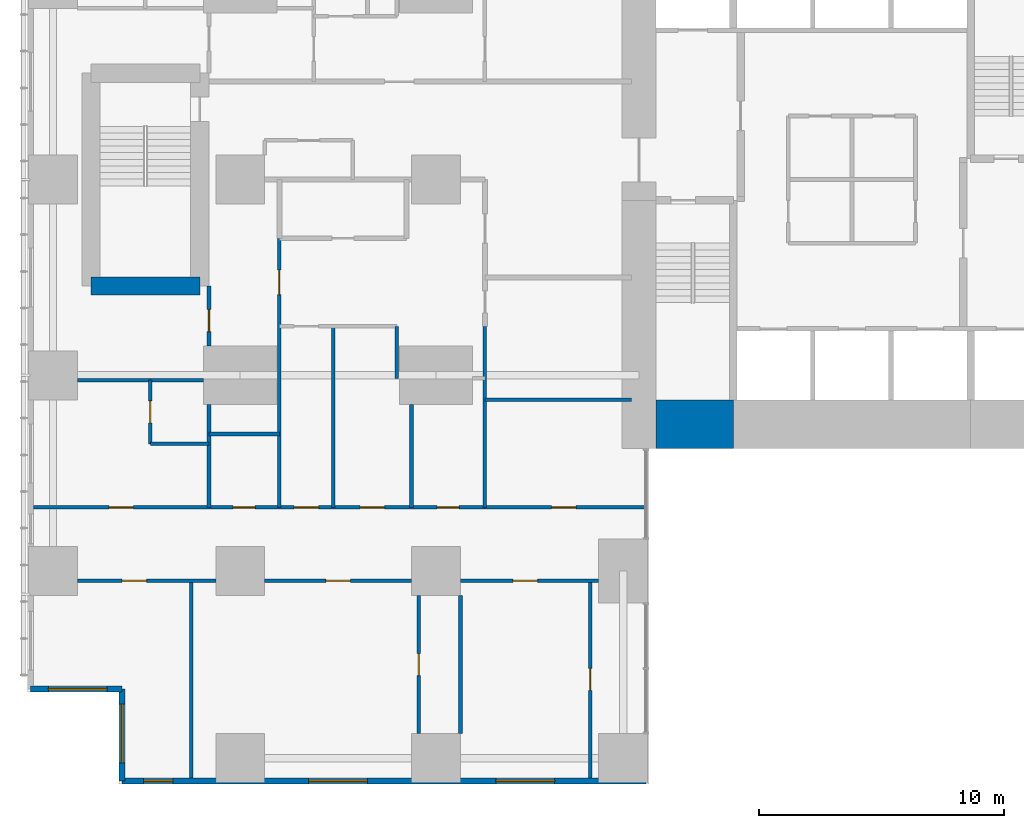
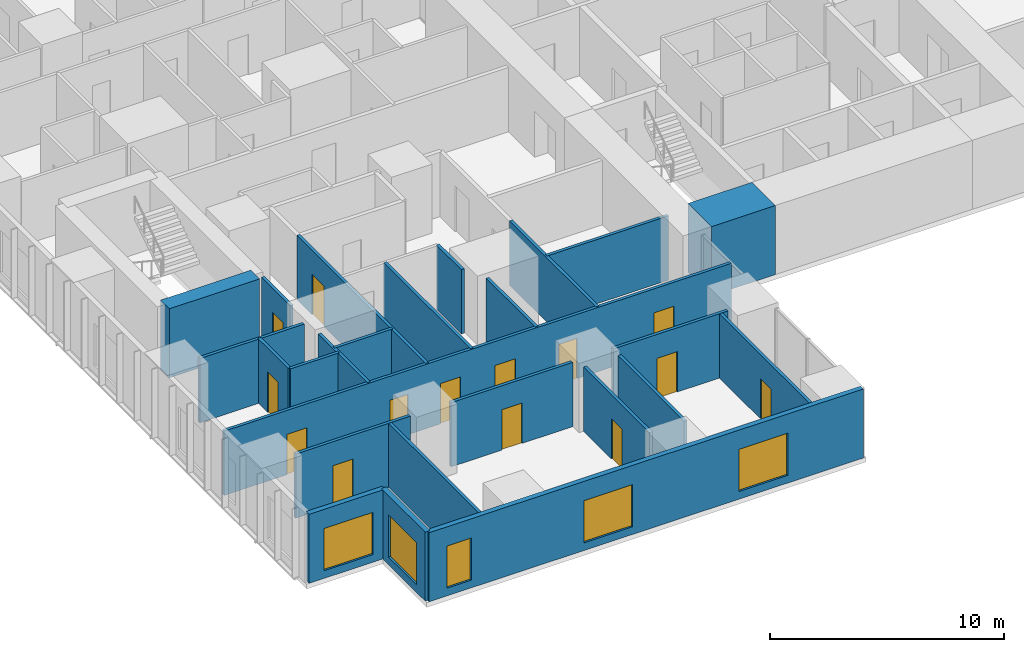
# One storey, part 12 of 20: 25 walls, 14 doors, 5 windows, 19 openings.
"""IFC4 building model written with IfcOpenShell, lengths in metres."""

from ifc_helpers import new_model, si_unit, direction, frame, frame_2d, origin, place, context, subcontext, project, spatial, rectangle, extrude, material, layer, layer_set, type_object, element, fill, save


model = new_model("IFC4")

# Units and contexts
model_context = context("Model", 3, precision=1e-05, world=origin(), true_north=direction((0.0, 1.0)))
body_context = subcontext(model_context, "Body", "Model", "MODEL_VIEW")
ifc_project = project(units=[si_unit("LENGTHUNIT", "METRE"), si_unit("AREAUNIT", "SQUARE_METRE"), si_unit("VOLUMEUNIT", "CUBIC_METRE"), si_unit("PLANEANGLEUNIT", "RADIAN"), si_unit("MASSUNIT", "GRAM", prefix="KILO")], contexts=[model_context])

# Site, building, storey
site_placement = place(None, origin())
site = spatial("IfcSite", under=ifc_project, at=site_placement, CompositionType="ELEMENT")
building_placement = place(site_placement, origin())
building = spatial("IfcBuilding", under=site, at=building_placement, Name="Cleftline Residences", CompositionType="ELEMENT")
storey_placement = place(building_placement, frame((0.0, 0.0, 110.60009765625)))
storey = spatial("IfcBuildingStorey", under=building, at=storey_placement, Name="L28", CompositionType="ELEMENT", Elevation=110.60009765625)

# Wall
ifc_material_1 = material(Name="Concrete B70", Category="concrete")
ifc_layer_1 = layer(ifc_material_1, 2.0)
ifc_layer_set_1 = layer_set([ifc_layer_1], Name="CORE WALL 2000")
wall_type_1 = type_object("IfcWallType", Name="CORE WALL 2000", PredefinedType="SHEAR", material=ifc_layer_set_1)
wall_1_placement = place(storey_placement, frame((25.0, 14.0, 0.0), z_axis=(0.0, 0.0, 1.0), x_axis=(1.0, 0.0, 0.0)))
element("IfcWall", 1, at=wall_1_placement, inside=storey, type_object=wall_type_1, Name="Core wall S1", PredefinedType="SHEAR", context=body_context, shape_type="SweptSolid", body=[
    extrude(rectangle(XDim=3.14990234375, YDim=2.0, at=frame_2d((1.574951171875, 0.0))), origin(), (0.0, 0.0, 1.0), 3.599853515625),
])

# Wall, opening, window
ifc_material_2 = material(Name="Rendered reinforced concrete blockwork", Category="masonry")
ifc_layer_2 = layer(ifc_material_2, 0.25)
ifc_layer_set_2 = layer_set([ifc_layer_2], Name="EXTERNAL WALL 250")
wall_type_2 = type_object("IfcWallType", Name="EXTERNAL WALL 250", PredefinedType="SOLIDWALL", material=ifc_layer_set_2)
wall_2_placement = place(storey_placement, frame((-0.574951171875, 3.175048828125, 0.0), z_axis=(0.0, 0.0, 1.0), x_axis=(1.0, 0.0, 0.0)))
wall_2 = element("IfcWall", 2, at=wall_2_placement, inside=storey, type_object=wall_type_2, Name="External wall", PredefinedType="SOLIDWALL", context=body_context, shape_type="SweptSolid", body=[
    extrude(rectangle(XDim=3.75, YDim=0.25, at=frame_2d((1.875, 0.0))), origin(), (0.0, 0.0, 1.0), 3.599853515625),
])
opening_1_placement = place(wall_2_placement, frame((0.737548828125, 0.0, 0.39990234375)))
opening_1 = element("IfcOpeningElement", 3, at=opening_1_placement, cuts=wall_2, Name="Opening W12", PredefinedType="OPENING", context=body_context, shape_type="SweptSolid", body=[
    extrude(rectangle(XDim=2.39990234375, YDim=2.199951171875, at=frame_2d((1.199951171875, 1.10009765625))), frame((0.0, 0.135009765625, 0.0), z_axis=(0.0, -1.0, 0.0), x_axis=(1.0, 0.0, 0.0)), (0.0, 0.0, 1.0), 0.27001953125),
])
ifc_material_3 = material(Name="Aluminium frame, clear double glazing", Category="aluminium")
window_type_1 = type_object("IfcWindowType", Name="WINDOW 2400X2200", PartitioningType="DOUBLE_PANEL_VERTICAL", PredefinedType="WINDOW", material=ifc_material_3)
window_1_placement = place(opening_1_placement, origin())
window_1 = element("IfcWindow", 4, at=window_1_placement, inside=storey, type_object=window_type_1, Name="Window", OverallHeight=2.199951171875, OverallWidth=2.39990234375, PartitioningType="SINGLE_PANEL", PredefinedType="WINDOW", context=body_context, shape_type="SweptSolid", body=[
    extrude(rectangle(XDim=2.39990234375, YDim=2.199951171875, at=frame_2d((1.199951171875, 1.10009765625))), frame((0.0, 0.030029296875, 0.0), z_axis=(0.0, -1.0, 0.0), x_axis=(1.0, 0.0, 0.0)), (0.0, 0.0, 1.0), 0.06005859375),
])
fill(opening_1, window_1)

wall_3_placement = place(storey_placement, frame((3.175048828125, 3.175048828125, 0.0), z_axis=(0.0, 0.0, 1.0), x_axis=(0.0, -1.0, 0.0)))
wall_3 = element("IfcWall", 5, at=wall_3_placement, inside=storey, type_object=wall_type_2, Name="External wall", PredefinedType="SOLIDWALL", context=body_context, shape_type="SweptSolid", body=[
    extrude(rectangle(XDim=3.75, YDim=0.25, at=frame_2d((1.875, 0.0))), origin(), (0.0, 0.0, 1.0), 3.599853515625),
])
opening_2_placement = place(wall_3_placement, frame((0.612548828125, 0.0, 0.39990234375)))
opening_2 = element("IfcOpeningElement", 6, at=opening_2_placement, cuts=wall_3, Name="Opening W12", PredefinedType="OPENING", context=body_context, shape_type="SweptSolid", body=[
    extrude(rectangle(XDim=2.39990234375, YDim=2.199951171875, at=frame_2d((1.199951171875, 1.10009765625))), frame((0.0, 0.135009765625, 0.0), z_axis=(0.0, -1.0, 0.0), x_axis=(1.0, 0.0, 0.0)), (0.0, 0.0, 1.0), 0.27001953125),
])
window_2_placement = place(opening_2_placement, origin())
window_2 = element("IfcWindow", 7, at=window_2_placement, inside=storey, type_object=window_type_1, Name="Window", OverallHeight=2.199951171875, OverallWidth=2.39990234375, PartitioningType="SINGLE_PANEL", PredefinedType="WINDOW", context=body_context, shape_type="SweptSolid", body=[
    extrude(rectangle(XDim=2.39990234375, YDim=2.199951171875, at=frame_2d((1.199951171875, 1.10009765625))), frame((0.0, 0.030029296875, 0.0), z_axis=(0.0, -1.0, 0.0), x_axis=(1.0, 0.0, 0.0)), (0.0, 0.0, 1.0), 0.06005859375),
])
fill(opening_2, window_2)

# Wall, openings, windows
wall_4_placement = place(storey_placement, frame((3.175048828125, -0.574951171875, 0.0), z_axis=(0.0, 0.0, 1.0), x_axis=(1.0, 0.0, 0.0)))
wall_4 = element("IfcWall", 8, at=wall_4_placement, inside=storey, type_object=wall_type_2, Name="External wall", PredefinedType="SOLIDWALL", context=body_context, shape_type="SweptSolid", body=[
    extrude(rectangle(XDim=21.39990234375, YDim=0.25, at=frame_2d((10.699951171875, 0.0))), origin(), (0.0, 0.0, 1.0), 3.599853515625),
])
opening_3_placement = place(wall_4_placement, frame((0.875, 0.0, 0.39990234375)))
opening_3 = element("IfcOpeningElement", 9, at=opening_3_placement, cuts=wall_4, Name="Opening W11", PredefinedType="OPENING", context=body_context, shape_type="SweptSolid", body=[
    extrude(rectangle(XDim=1.199951171875, YDim=2.199951171875, at=frame_2d((0.60009765625, 1.10009765625))), frame((0.0, 0.135009765625, 0.0), z_axis=(0.0, -1.0, 0.0), x_axis=(1.0, 0.0, 0.0)), (0.0, 0.0, 1.0), 0.27001953125),
])
opening_4_placement = place(wall_4_placement, frame((7.625, 0.0, 0.39990234375)))
opening_4 = element("IfcOpeningElement", 10, at=opening_4_placement, cuts=wall_4, Name="Opening W12", PredefinedType="OPENING", context=body_context, shape_type="SweptSolid", body=[
    extrude(rectangle(XDim=2.39990234375, YDim=2.199951171875, at=frame_2d((1.199951171875, 1.10009765625))), frame((0.0, 0.135009765625, 0.0), z_axis=(0.0, -1.0, 0.0), x_axis=(1.0, 0.0, 0.0)), (0.0, 0.0, 1.0), 0.27001953125),
])
opening_5_placement = place(wall_4_placement, frame((15.27490234375, 0.0, 0.39990234375)))
opening_5 = element("IfcOpeningElement", 11, at=opening_5_placement, cuts=wall_4, Name="Opening W12", PredefinedType="OPENING", context=body_context, shape_type="SweptSolid", body=[
    extrude(rectangle(XDim=2.39990234375, YDim=2.199951171875, at=frame_2d((1.199951171875, 1.10009765625))), frame((0.0, 0.135009765625, 0.0), z_axis=(0.0, -1.0, 0.0), x_axis=(1.0, 0.0, 0.0)), (0.0, 0.0, 1.0), 0.27001953125),
])
ifc_material_4 = material(Name="Aluminium frame, clear double glazing", Category="aluminium")
window_type_2 = type_object("IfcWindowType", Name="WINDOW 1200X2200", PartitioningType="DOUBLE_PANEL_VERTICAL", PredefinedType="WINDOW", material=ifc_material_4)
window_3_placement = place(opening_3_placement, origin())
window_3 = element("IfcWindow", 12, at=window_3_placement, inside=storey, type_object=window_type_2, Name="Window", OverallHeight=2.199951171875, OverallWidth=1.199951171875, PartitioningType="SINGLE_PANEL", PredefinedType="WINDOW", context=body_context, shape_type="SweptSolid", body=[
    extrude(rectangle(XDim=1.199951171875, YDim=2.199951171875, at=frame_2d((0.60009765625, 1.10009765625))), frame((0.0, 0.030029296875, 0.0), z_axis=(0.0, -1.0, 0.0), x_axis=(1.0, 0.0, 0.0)), (0.0, 0.0, 1.0), 0.06005859375),
])
fill(opening_3, window_3)
window_4_placement = place(opening_4_placement, origin())
window_4 = element("IfcWindow", 13, at=window_4_placement, inside=storey, type_object=window_type_1, Name="Window", OverallHeight=2.199951171875, OverallWidth=2.39990234375, PartitioningType="SINGLE_PANEL", PredefinedType="WINDOW", context=body_context, shape_type="SweptSolid", body=[
    extrude(rectangle(XDim=2.39990234375, YDim=2.199951171875, at=frame_2d((1.199951171875, 1.10009765625))), frame((0.0, 0.030029296875, 0.0), z_axis=(0.0, -1.0, 0.0), x_axis=(1.0, 0.0, 0.0)), (0.0, 0.0, 1.0), 0.06005859375),
])
fill(opening_4, window_4)
window_5_placement = place(opening_5_placement, origin())
window_5 = element("IfcWindow", 14, at=window_5_placement, inside=storey, type_object=window_type_1, Name="Window", OverallHeight=2.199951171875, OverallWidth=2.39990234375, PartitioningType="SINGLE_PANEL", PredefinedType="WINDOW", context=body_context, shape_type="SweptSolid", body=[
    extrude(rectangle(XDim=2.39990234375, YDim=2.199951171875, at=frame_2d((1.199951171875, 1.10009765625))), frame((0.0, 0.030029296875, 0.0), z_axis=(0.0, -1.0, 0.0), x_axis=(1.0, 0.0, 0.0)), (0.0, 0.0, 1.0), 0.06005859375),
])
fill(opening_5, window_5)

# Wall, opening, door
ifc_material_5 = material(Name="Gypsum board on steel studs", Category="steel")
ifc_layer_3 = layer(ifc_material_5, 0.14990234375)
ifc_layer_set_3 = layer_set([ifc_layer_3], Name="PARTITION 150")
wall_type_3 = type_object("IfcWallType", Name="PARTITION 150", PredefinedType="PARTITIONING", material=ifc_layer_set_3)
wall_5_placement = place(storey_placement, frame((1.35009765625, 7.60009765625, 0.0), z_axis=(0.0, 0.0, 1.0), x_axis=(1.0, 0.0, 0.0)))
wall_5 = element("IfcWall", 15, at=wall_5_placement, inside=storey, type_object=wall_type_3, Name="Partition", PredefinedType="PARTITIONING", context=body_context, shape_type="SweptSolid", body=[
    extrude(rectangle(XDim=5.64990234375, YDim=0.14990234375, at=frame_2d((2.824951171875, 0.0))), origin(), (0.0, 0.0, 1.0), 3.349853515625),
])
opening_6_placement = place(wall_5_placement, frame((1.824951171875, 0.0, 0.0)))
opening_6 = element("IfcOpeningElement", 16, at=opening_6_placement, cuts=wall_5, Name="Opening D2", PredefinedType="OPENING", context=body_context, shape_type="SweptSolid", body=[
    extrude(rectangle(XDim=1.0, YDim=2.10009765625, at=frame_2d((0.5, 1.050048828125))), frame((0.0, 0.0849609375, 0.0), z_axis=(0.0, -1.0, 0.0), x_axis=(1.0, 0.0, 0.0)), (0.0, 0.0, 1.0), 0.169921875),
])
ifc_material_6 = material(Name="Timber veneer on solid core", Category="wood")
door_type_1 = type_object("IfcDoorType", Name="DOOR 1000X2100", OperationType="SINGLE_SWING_LEFT", PredefinedType="DOOR", material=ifc_material_6)
door_1_placement = place(opening_6_placement, origin())
door_1 = element("IfcDoor", 17, at=door_1_placement, inside=storey, type_object=door_type_1, Name="Door to winter garden", OperationType="SINGLE_SWING_RIGHT", OverallHeight=2.10009765625, OverallWidth=1.0, PredefinedType="DOOR", context=body_context, shape_type="SweptSolid", body=[
    extrude(rectangle(XDim=1.0, YDim=2.10009765625, at=frame_2d((0.5, 1.050048828125))), frame((0.0, 0.02490234375, 0.0), z_axis=(0.0, -1.0, 0.0), x_axis=(1.0, 0.0, 0.0)), (0.0, 0.0, 1.0), 0.050048828125),
])
fill(opening_6, door_1)

wall_6_placement = place(storey_placement, frame((9.0, 7.60009765625, 0.0), z_axis=(0.0, 0.0, 1.0), x_axis=(1.0, 0.0, 0.0)))
wall_6 = element("IfcWall", 18, at=wall_6_placement, inside=storey, type_object=wall_type_3, Name="Partition", PredefinedType="PARTITIONING", context=body_context, shape_type="SweptSolid", body=[
    extrude(rectangle(XDim=6.0, YDim=0.14990234375, at=frame_2d((3.0, 0.0))), origin(), (0.0, 0.0, 1.0), 3.349853515625),
])
opening_7_placement = place(wall_6_placement, frame((2.5, 0.0, 0.0)))
opening_7 = element("IfcOpeningElement", 19, at=opening_7_placement, cuts=wall_6, Name="Opening D2", PredefinedType="OPENING", context=body_context, shape_type="SweptSolid", body=[
    extrude(rectangle(XDim=1.0, YDim=2.10009765625, at=frame_2d((0.5, 1.050048828125))), frame((0.0, 0.0849609375, 0.0), z_axis=(0.0, -1.0, 0.0), x_axis=(1.0, 0.0, 0.0)), (0.0, 0.0, 1.0), 0.169921875),
])
door_2_placement = place(opening_7_placement, origin())
door_2 = element("IfcDoor", 20, at=door_2_placement, inside=storey, type_object=door_type_1, Name="Door to great room", OperationType="SINGLE_SWING_LEFT", OverallHeight=2.10009765625, OverallWidth=1.0, PredefinedType="DOOR", context=body_context, shape_type="SweptSolid", body=[
    extrude(rectangle(XDim=1.0, YDim=2.10009765625, at=frame_2d((0.5, 1.050048828125))), frame((0.0, 0.02490234375, 0.0), z_axis=(0.0, -1.0, 0.0), x_axis=(1.0, 0.0, 0.0)), (0.0, 0.0, 1.0), 0.050048828125),
])
fill(opening_7, door_2)

wall_7_placement = place(storey_placement, frame((17.0, 7.60009765625, 0.0), z_axis=(0.0, 0.0, 1.0), x_axis=(1.0, 0.0, 0.0)))
wall_7 = element("IfcWall", 21, at=wall_7_placement, inside=storey, type_object=wall_type_3, Name="Partition", PredefinedType="PARTITIONING", context=body_context, shape_type="SweptSolid", body=[
    extrude(rectangle(XDim=5.64990234375, YDim=0.14990234375, at=frame_2d((2.824951171875, 0.0))), origin(), (0.0, 0.0, 1.0), 3.349853515625),
])
opening_8_placement = place(wall_7_placement, frame((2.14990234375, 0.0, 0.0)))
opening_8 = element("IfcOpeningElement", 22, at=opening_8_placement, cuts=wall_7, Name="Opening D2", PredefinedType="OPENING", context=body_context, shape_type="SweptSolid", body=[
    extrude(rectangle(XDim=1.0, YDim=2.10009765625, at=frame_2d((0.5, 1.050048828125))), frame((0.0, 0.0849609375, 0.0), z_axis=(0.0, -1.0, 0.0), x_axis=(1.0, 0.0, 0.0)), (0.0, 0.0, 1.0), 0.169921875),
])
door_3_placement = place(opening_8_placement, origin())
door_3 = element("IfcDoor", 23, at=door_3_placement, inside=storey, type_object=door_type_1, Name="Door to show kitchen", OperationType="SINGLE_SWING_RIGHT", OverallHeight=2.10009765625, OverallWidth=1.0, PredefinedType="DOOR", context=body_context, shape_type="SweptSolid", body=[
    extrude(rectangle(XDim=1.0, YDim=2.10009765625, at=frame_2d((0.5, 1.050048828125))), frame((0.0, 0.02490234375, 0.0), z_axis=(0.0, -1.0, 0.0), x_axis=(1.0, 0.0, 0.0)), (0.0, 0.0, 1.0), 0.050048828125),
])
fill(opening_8, door_3)

# Wall, openings, doors
wall_8_placement = place(storey_placement, frame((-0.449951171875, 10.60009765625, 0.0), z_axis=(0.0, 0.0, 1.0), x_axis=(1.0, 0.0, 0.0)))
wall_8 = element("IfcWall", 24, at=wall_8_placement, inside=storey, type_object=wall_type_3, Name="Partition", PredefinedType="PARTITIONING", context=body_context, shape_type="SweptSolid", body=[
    extrude(rectangle(XDim=25.010986328125, YDim=0.14990234375, at=frame_2d((12.50537109375, 0.0))), origin(), (0.0, 0.0, 1.0), 3.349853515625),
])
opening_9_placement = place(wall_8_placement, frame((10.64990234375, 0.0, 0.0)))
opening_9 = element("IfcOpeningElement", 25, at=opening_9_placement, cuts=wall_8, Name="Opening D2", PredefinedType="OPENING", context=body_context, shape_type="SweptSolid", body=[
    extrude(rectangle(XDim=1.0, YDim=2.10009765625, at=frame_2d((0.5, 1.050048828125))), frame((0.0, 0.0849609375, 0.0), z_axis=(0.0, -1.0, 0.0), x_axis=(1.0, 0.0, 0.0)), (0.0, 0.0, 1.0), 0.169921875),
])
opening_10_placement = place(wall_8_placement, frame((3.08740234375, 0.0, 0.0)))
opening_10 = element("IfcOpeningElement", 26, at=opening_10_placement, cuts=wall_8, Name="Opening D2", PredefinedType="OPENING", context=body_context, shape_type="SweptSolid", body=[
    extrude(rectangle(XDim=1.0, YDim=2.10009765625, at=frame_2d((0.5, 1.050048828125))), frame((0.0, 0.0849609375, 0.0), z_axis=(0.0, -1.0, 0.0), x_axis=(1.0, 0.0, 0.0)), (0.0, 0.0, 1.0), 0.169921875),
])
opening_11_placement = place(wall_8_placement, frame((8.16259765625, 0.0, 0.0)))
opening_11 = element("IfcOpeningElement", 27, at=opening_11_placement, cuts=wall_8, Name="Opening D1", PredefinedType="OPENING", context=body_context, shape_type="SweptSolid", body=[
    extrude(rectangle(XDim=0.89990234375, YDim=2.10009765625, at=frame_2d((0.449951171875, 1.050048828125))), frame((0.0, 0.0849609375, 0.0), z_axis=(0.0, -1.0, 0.0), x_axis=(1.0, 0.0, 0.0)), (0.0, 0.0, 1.0), 0.169921875),
])
opening_12_placement = place(wall_8_placement, frame((13.35009765625, 0.0, 0.0)))
opening_12 = element("IfcOpeningElement", 28, at=opening_12_placement, cuts=wall_8, Name="Opening D2", PredefinedType="OPENING", context=body_context, shape_type="SweptSolid", body=[
    extrude(rectangle(XDim=1.0, YDim=2.10009765625, at=frame_2d((0.5, 1.050048828125))), frame((0.0, 0.0849609375, 0.0), z_axis=(0.0, -1.0, 0.0), x_axis=(1.0, 0.0, 0.0)), (0.0, 0.0, 1.0), 0.169921875),
])
opening_13_placement = place(wall_8_placement, frame((16.5, 0.0, 0.0)))
opening_13 = element("IfcOpeningElement", 29, at=opening_13_placement, cuts=wall_8, Name="Opening D1", PredefinedType="OPENING", context=body_context, shape_type="SweptSolid", body=[
    extrude(rectangle(XDim=0.89990234375, YDim=2.10009765625, at=frame_2d((0.449951171875, 1.050048828125))), frame((0.0, 0.0849609375, 0.0), z_axis=(0.0, -1.0, 0.0), x_axis=(1.0, 0.0, 0.0)), (0.0, 0.0, 1.0), 0.169921875),
])
opening_14_placement = place(wall_8_placement, frame((21.175048828125, 0.0, 0.0)))
opening_14 = element("IfcOpeningElement", 30, at=opening_14_placement, cuts=wall_8, Name="Opening D2", PredefinedType="OPENING", context=body_context, shape_type="SweptSolid", body=[
    extrude(rectangle(XDim=1.0, YDim=2.10009765625, at=frame_2d((0.5, 1.050048828125))), frame((0.0, 0.0849609375, 0.0), z_axis=(0.0, -1.0, 0.0), x_axis=(1.0, 0.0, 0.0)), (0.0, 0.0, 1.0), 0.169921875),
])
door_4_placement = place(opening_9_placement, origin())
door_4 = element("IfcDoor", 31, at=door_4_placement, inside=storey, type_object=door_type_1, Name="Door to residence hall", OperationType="SINGLE_SWING_RIGHT", OverallHeight=2.10009765625, OverallWidth=1.0, PredefinedType="DOOR", context=body_context, shape_type="SweptSolid", body=[
    extrude(rectangle(XDim=1.0, YDim=2.10009765625, at=frame_2d((0.5, 1.050048828125))), frame((0.0, 0.02490234375, 0.0), z_axis=(0.0, -1.0, 0.0), x_axis=(1.0, 0.0, 0.0)), (0.0, 0.0, 1.0), 0.050048828125),
])
fill(opening_9, door_4)
door_5_placement = place(opening_10_placement, origin())
door_5 = element("IfcDoor", 32, at=door_5_placement, inside=storey, type_object=door_type_1, Name="Door to guest bedroom", OperationType="SINGLE_SWING_RIGHT", OverallHeight=2.10009765625, OverallWidth=1.0, PredefinedType="DOOR", context=body_context, shape_type="SweptSolid", body=[
    extrude(rectangle(XDim=1.0, YDim=2.10009765625, at=frame_2d((0.5, 1.050048828125))), frame((0.0, 0.02490234375, 0.0), z_axis=(0.0, -1.0, 0.0), x_axis=(1.0, 0.0, 0.0)), (0.0, 0.0, 1.0), 0.050048828125),
])
fill(opening_10, door_5)
door_6_placement = place(opening_12_placement, origin())
door_6 = element("IfcDoor", 33, at=door_6_placement, inside=storey, type_object=door_type_1, Name="Door to wet kitchen", OperationType="SINGLE_SWING_LEFT", OverallHeight=2.10009765625, OverallWidth=1.0, PredefinedType="DOOR", context=body_context, shape_type="SweptSolid", body=[
    extrude(rectangle(XDim=1.0, YDim=2.10009765625, at=frame_2d((0.5, 1.050048828125))), frame((0.0, 0.02490234375, 0.0), z_axis=(0.0, -1.0, 0.0), x_axis=(1.0, 0.0, 0.0)), (0.0, 0.0, 1.0), 0.050048828125),
])
fill(opening_12, door_6)
door_7_placement = place(opening_14_placement, origin())
door_7 = element("IfcDoor", 34, at=door_7_placement, inside=storey, type_object=door_type_1, Name="Door to breakfast room", OperationType="SINGLE_SWING_LEFT", OverallHeight=2.10009765625, OverallWidth=1.0, PredefinedType="DOOR", context=body_context, shape_type="SweptSolid", body=[
    extrude(rectangle(XDim=1.0, YDim=2.10009765625, at=frame_2d((0.5, 1.050048828125))), frame((0.0, 0.02490234375, 0.0), z_axis=(0.0, -1.0, 0.0), x_axis=(1.0, 0.0, 0.0)), (0.0, 0.0, 1.0), 0.050048828125),
])
fill(opening_14, door_7)
ifc_material_7 = material(Name="Timber veneer on solid core", Category="wood")
door_type_2 = type_object("IfcDoorType", Name="DOOR 900X2100", OperationType="SINGLE_SWING_LEFT", PredefinedType="DOOR", material=ifc_material_7)
door_8_placement = place(opening_11_placement, origin())
door_8 = element("IfcDoor", 35, at=door_8_placement, inside=storey, type_object=door_type_2, Name="Door to coat store", OperationType="SINGLE_SWING_RIGHT", OverallHeight=2.10009765625, OverallWidth=0.89990234375, PredefinedType="DOOR", context=body_context, shape_type="SweptSolid", body=[
    extrude(rectangle(XDim=0.89990234375, YDim=2.10009765625, at=frame_2d((0.449951171875, 1.050048828125))), frame((0.0, 0.02490234375, 0.0), z_axis=(0.0, -1.0, 0.0), x_axis=(1.0, 0.0, 0.0)), (0.0, 0.0, 1.0), 0.050048828125),
])
fill(opening_11, door_8)
door_9_placement = place(opening_13_placement, origin())
door_9 = element("IfcDoor", 36, at=door_9_placement, inside=storey, type_object=door_type_2, Name="Door to pantry", OperationType="SINGLE_SWING_LEFT", OverallHeight=2.10009765625, OverallWidth=0.89990234375, PredefinedType="DOOR", context=body_context, shape_type="SweptSolid", body=[
    extrude(rectangle(XDim=0.89990234375, YDim=2.10009765625, at=frame_2d((0.449951171875, 1.050048828125))), frame((0.0, 0.02490234375, 0.0), z_axis=(0.0, -1.0, 0.0), x_axis=(1.0, 0.0, 0.0)), (0.0, 0.0, 1.0), 0.050048828125),
])
fill(opening_13, door_9)

# Walls
wall_9_placement = place(storey_placement, frame((4.324951171875, 13.199951171875, 0.0), z_axis=(0.0, 0.0, 1.0), x_axis=(1.0, 0.0, 0.0)))
element("IfcWall", 37, at=wall_9_placement, inside=storey, type_object=wall_type_3, Name="Partition", PredefinedType="PARTITIONING", context=body_context, shape_type="SweptSolid", body=[
    extrude(rectangle(XDim=2.400146484375, YDim=0.14990234375, at=frame_2d((1.2001953125, 0.0))), origin(), (0.0, 0.0, 1.0), 3.349853515625),
])
wall_10_placement = place(storey_placement, frame((6.72509765625, 13.60009765625, 0.0), z_axis=(0.0, 0.0, 1.0), x_axis=(1.0, 0.0, 0.0)))
element("IfcWall", 38, at=wall_10_placement, inside=storey, type_object=wall_type_3, Name="Partition", PredefinedType="PARTITIONING", context=body_context, shape_type="SweptSolid", body=[
    extrude(rectangle(XDim=2.875, YDim=0.14990234375, at=frame_2d((1.4375, 0.0))), origin(), (0.0, 0.0, 1.0), 3.349853515625),
])
wall_11_placement = place(storey_placement, frame((18.0, 15.0, 0.0), z_axis=(0.0, 0.0, 1.0), x_axis=(1.0, 0.0, 0.0)))
element("IfcWall", 39, at=wall_11_placement, inside=storey, type_object=wall_type_3, Name="Partition", PredefinedType="PARTITIONING", context=body_context, shape_type="SweptSolid", body=[
    extrude(rectangle(XDim=6.0, YDim=0.14990234375, at=frame_2d((3.0, 0.0))), origin(), (0.0, 0.0, 1.0), 3.349853515625),
])
wall_12_placement = place(storey_placement, frame((1.35009765625, 15.800048828125, 0.0), z_axis=(0.0, 0.0, 1.0), x_axis=(1.0, 0.0, 0.0)))
element("IfcWall", 40, at=wall_12_placement, inside=storey, type_object=wall_type_3, Name="Partition", PredefinedType="PARTITIONING", context=body_context, shape_type="SweptSolid", body=[
    extrude(rectangle(XDim=5.14990234375, YDim=0.14990234375, at=frame_2d((2.574951171875, 0.0))), origin(), (0.0, 0.0, 1.0), 3.349853515625),
])

# Wall, opening, door
wall_13_placement = place(storey_placement, frame((4.324951171875, 13.199951171875, 0.0), z_axis=(0.0, 0.0, 1.0), x_axis=(0.0, 1.0, 0.0)))
wall_13 = element("IfcWall", 41, at=wall_13_placement, inside=storey, type_object=wall_type_3, Name="Partition", PredefinedType="PARTITIONING", context=body_context, shape_type="SweptSolid", body=[
    extrude(rectangle(XDim=2.60009765625, YDim=0.14990234375, at=frame_2d((1.300048828125, 0.0))), origin(), (0.0, 0.0, 1.0), 3.349853515625),
])
opening_15_placement = place(wall_13_placement, frame((0.85009765625, 0.0, 0.0)))
opening_15 = element("IfcOpeningElement", 42, at=opening_15_placement, cuts=wall_13, Name="Opening D1", PredefinedType="OPENING", context=body_context, shape_type="SweptSolid", body=[
    extrude(rectangle(XDim=0.89990234375, YDim=2.10009765625, at=frame_2d((0.449951171875, 1.050048828125))), frame((0.0, 0.0849609375, 0.0), z_axis=(0.0, -1.0, 0.0), x_axis=(1.0, 0.0, 0.0)), (0.0, 0.0, 1.0), 0.169921875),
])
door_10_placement = place(opening_15_placement, origin())
door_10 = element("IfcDoor", 43, at=door_10_placement, inside=storey, type_object=door_type_2, Name="Door to guest bathroom", OperationType="SINGLE_SWING_LEFT", OverallHeight=2.10009765625, OverallWidth=0.89990234375, PredefinedType="DOOR", context=body_context, shape_type="SweptSolid", body=[
    extrude(rectangle(XDim=0.89990234375, YDim=2.10009765625, at=frame_2d((0.449951171875, 1.050048828125))), frame((0.0, 0.02490234375, 0.0), z_axis=(0.0, -1.0, 0.0), x_axis=(1.0, 0.0, 0.0)), (0.0, 0.0, 1.0), 0.050048828125),
])
fill(opening_15, door_10)

# Walls
wall_14_placement = place(storey_placement, frame((6.0, -0.449951171875, 0.0), z_axis=(0.0, 0.0, 1.0), x_axis=(0.0, 1.0, 0.0)))
element("IfcWall", 44, at=wall_14_placement, inside=storey, type_object=wall_type_3, Name="Partition", PredefinedType="PARTITIONING", context=body_context, shape_type="SweptSolid", body=[
    extrude(rectangle(XDim=8.050048828125, YDim=0.14990234375, at=frame_2d((4.02490234375, 0.0))), origin(), (0.0, 0.0, 1.0), 3.349853515625),
])
wall_15_placement = place(storey_placement, frame((6.72509765625, 10.60009765625, 0.0), z_axis=(0.0, 0.0, 1.0), x_axis=(0.0, 1.0, 0.0)))
element("IfcWall", 45, at=wall_15_placement, inside=storey, type_object=wall_type_3, Name="Partition", PredefinedType="PARTITIONING", context=body_context, shape_type="SweptSolid", body=[
    extrude(rectangle(XDim=4.199951171875, YDim=0.14990234375, at=frame_2d((2.10009765625, 0.0))), origin(), (0.0, 0.0, 1.0), 3.349853515625),
])

# Wall, opening, door
wall_16_placement = place(storey_placement, frame((6.72509765625, 17.199951171875, 0.0), z_axis=(0.0, 0.0, 1.0), x_axis=(0.0, 1.0, 0.0)))
wall_16 = element("IfcWall", 46, at=wall_16_placement, inside=storey, type_object=wall_type_3, Name="Partition", PredefinedType="PARTITIONING", context=body_context, shape_type="SweptSolid", body=[
    extrude(rectangle(XDim=2.449951171875, YDim=0.14990234375, at=frame_2d((1.22509765625, 0.0))), origin(), (0.0, 0.0, 1.0), 3.349853515625),
])
opening_16_placement = place(wall_16_placement, frame((0.58740234375, 0.0, 0.0)))
opening_16 = element("IfcOpeningElement", 47, at=opening_16_placement, cuts=wall_16, Name="Opening D1", PredefinedType="OPENING", context=body_context, shape_type="SweptSolid", body=[
    extrude(rectangle(XDim=0.89990234375, YDim=2.10009765625, at=frame_2d((0.449951171875, 1.050048828125))), frame((0.0, 0.0849609375, 0.0), z_axis=(0.0, -1.0, 0.0), x_axis=(1.0, 0.0, 0.0)), (0.0, 0.0, 1.0), 0.169921875),
])
door_11_placement = place(opening_16_placement, origin())
door_11 = element("IfcDoor", 48, at=door_11_placement, inside=storey, type_object=door_type_2, Name="Door to drying loggia", OperationType="SINGLE_SWING_RIGHT", OverallHeight=2.10009765625, OverallWidth=0.89990234375, PredefinedType="DOOR", context=body_context, shape_type="SweptSolid", body=[
    extrude(rectangle(XDim=0.89990234375, YDim=2.10009765625, at=frame_2d((0.449951171875, 1.050048828125))), frame((0.0, 0.02490234375, 0.0), z_axis=(0.0, -1.0, 0.0), x_axis=(1.0, 0.0, 0.0)), (0.0, 0.0, 1.0), 0.050048828125),
])
fill(opening_16, door_11)

wall_17_placement = place(storey_placement, frame((9.60009765625, 10.60009765625, 0.0), z_axis=(0.0, 0.0, 1.0), x_axis=(0.0, 1.0, 0.0)))
wall_17 = element("IfcWall", 49, at=wall_17_placement, inside=storey, type_object=wall_type_3, Name="Partition", PredefinedType="PARTITIONING", context=body_context, shape_type="SweptSolid", body=[
    extrude(rectangle(XDim=11.0, YDim=0.14990234375, at=frame_2d((5.5, 0.0))), origin(), (0.0, 0.0, 1.0), 3.349853515625),
])
opening_17_placement = place(wall_17_placement, frame((8.699951171875, 0.0, 0.0)))
opening_17 = element("IfcOpeningElement", 50, at=opening_17_placement, cuts=wall_17, Name="Opening D2F30", PredefinedType="OPENING", context=body_context, shape_type="SweptSolid", body=[
    extrude(rectangle(XDim=1.0, YDim=2.10009765625, at=frame_2d((0.5, 1.050048828125))), frame((0.0, 0.0849609375, 0.0), z_axis=(0.0, -1.0, 0.0), x_axis=(1.0, 0.0, 0.0)), (0.0, 0.0, 1.0), 0.169921875),
])
ifc_material_8 = material(Name="Timber veneer on solid core", Category="wood")
door_type_3 = type_object("IfcDoorType", Name="DOOR 1000X2100 EI 30", OperationType="SINGLE_SWING_LEFT", PredefinedType="DOOR", material=ifc_material_8)
door_12_placement = place(opening_17_placement, origin())
door_12 = element("IfcDoor", 51, at=door_12_placement, inside=storey, type_object=door_type_3, Name="Door to residence lobby", OperationType="SINGLE_SWING_LEFT", OverallHeight=2.10009765625, OverallWidth=1.0, PredefinedType="DOOR", context=body_context, shape_type="SweptSolid", body=[
    extrude(rectangle(XDim=1.0, YDim=2.10009765625, at=frame_2d((0.5, 1.050048828125))), frame((0.0, 0.02490234375, 0.0), z_axis=(0.0, -1.0, 0.0), x_axis=(1.0, 0.0, 0.0)), (0.0, 0.0, 1.0), 0.050048828125),
])
fill(opening_17, door_12)

# Walls
wall_18_placement = place(storey_placement, frame((11.800048828125, 10.60009765625, 0.0), z_axis=(0.0, 0.0, 1.0), x_axis=(0.0, 1.0, 0.0)))
element("IfcWall", 52, at=wall_18_placement, inside=storey, type_object=wall_type_3, Name="Partition", PredefinedType="PARTITIONING", context=body_context, shape_type="SweptSolid", body=[
    extrude(rectangle(XDim=7.39990234375, YDim=0.14990234375, at=frame_2d((3.699951171875, 0.0))), origin(), (0.0, 0.0, 1.0), 3.349853515625),
])
wall_19_placement = place(storey_placement, frame((14.39990234375, 15.875, 0.0), z_axis=(0.0, 0.0, 1.0), x_axis=(0.0, 1.0, 0.0)))
element("IfcWall", 53, at=wall_19_placement, inside=storey, type_object=wall_type_3, Name="Partition", PredefinedType="PARTITIONING", context=body_context, shape_type="SweptSolid", body=[
    extrude(rectangle(XDim=2.125, YDim=0.14990234375, at=frame_2d((1.0625, 0.0))), origin(), (0.0, 0.0, 1.0), 3.349853515625),
])
wall_20_placement = place(storey_placement, frame((15.0, 10.60009765625, 0.0), z_axis=(0.0, 0.0, 1.0), x_axis=(0.0, 1.0, 0.0)))
element("IfcWall", 54, at=wall_20_placement, inside=storey, type_object=wall_type_3, Name="Partition", PredefinedType="PARTITIONING", context=body_context, shape_type="SweptSolid", body=[
    extrude(rectangle(XDim=4.199951171875, YDim=0.14990234375, at=frame_2d((2.10009765625, 0.0))), origin(), (0.0, 0.0, 1.0), 3.349853515625),
])

# Wall, opening, door
wall_21_placement = place(storey_placement, frame((15.300048828125, 1.35009765625, 0.0), z_axis=(0.0, 0.0, 1.0), x_axis=(0.0, 1.0, 0.0)))
wall_21 = element("IfcWall", 55, at=wall_21_placement, inside=storey, type_object=wall_type_3, Name="Partition", PredefinedType="PARTITIONING", context=body_context, shape_type="SweptSolid", body=[
    extrude(rectangle(XDim=5.64990234375, YDim=0.14990234375, at=frame_2d((2.824951171875, 0.0))), origin(), (0.0, 0.0, 1.0), 3.349853515625),
])
opening_18_placement = place(wall_21_placement, frame((2.375, 0.0, 0.0)))
opening_18 = element("IfcOpeningElement", 56, at=opening_18_placement, cuts=wall_21, Name="Opening D1", PredefinedType="OPENING", context=body_context, shape_type="SweptSolid", body=[
    extrude(rectangle(XDim=0.89990234375, YDim=2.10009765625, at=frame_2d((0.449951171875, 1.050048828125))), frame((0.0, 0.0849609375, 0.0), z_axis=(0.0, -1.0, 0.0), x_axis=(1.0, 0.0, 0.0)), (0.0, 0.0, 1.0), 0.169921875),
])
door_13_placement = place(opening_18_placement, origin())
door_13 = element("IfcDoor", 57, at=door_13_placement, inside=storey, type_object=door_type_2, Name="Door to store room", OperationType="SINGLE_SWING_LEFT", OverallHeight=2.10009765625, OverallWidth=0.89990234375, PredefinedType="DOOR", context=body_context, shape_type="SweptSolid", body=[
    extrude(rectangle(XDim=0.89990234375, YDim=2.10009765625, at=frame_2d((0.449951171875, 1.050048828125))), frame((0.0, 0.02490234375, 0.0), z_axis=(0.0, -1.0, 0.0), x_axis=(1.0, 0.0, 0.0)), (0.0, 0.0, 1.0), 0.050048828125),
])
fill(opening_18, door_13)

# Walls
wall_22_placement = place(storey_placement, frame((17.0, 1.35009765625, 0.0), z_axis=(0.0, 0.0, 1.0), x_axis=(0.0, 1.0, 0.0)))
element("IfcWall", 58, at=wall_22_placement, inside=storey, type_object=wall_type_3, Name="Partition", PredefinedType="PARTITIONING", context=body_context, shape_type="SweptSolid", body=[
    extrude(rectangle(XDim=5.64990234375, YDim=0.14990234375, at=frame_2d((2.824951171875, 0.0))), origin(), (0.0, 0.0, 1.0), 3.349853515625),
])
wall_23_placement = place(storey_placement, frame((18.0, 10.60009765625, 0.0), z_axis=(0.0, 0.0, 1.0), x_axis=(0.0, 1.0, 0.0)))
element("IfcWall", 59, at=wall_23_placement, inside=storey, type_object=wall_type_3, Name="Partition", PredefinedType="PARTITIONING", context=body_context, shape_type="SweptSolid", body=[
    extrude(rectangle(XDim=7.39990234375, YDim=0.14990234375, at=frame_2d((3.699951171875, 0.0))), origin(), (0.0, 0.0, 1.0), 3.349853515625),
])

# Wall, opening, door
wall_24_placement = place(storey_placement, frame((22.300048828125, -0.449951171875, 0.0), z_axis=(0.0, 0.0, 1.0), x_axis=(0.0, 1.0, 0.0)))
wall_24 = element("IfcWall", 60, at=wall_24_placement, inside=storey, type_object=wall_type_3, Name="Partition", PredefinedType="PARTITIONING", context=body_context, shape_type="SweptSolid", body=[
    extrude(rectangle(XDim=8.050048828125, YDim=0.14990234375, at=frame_2d((4.02490234375, 0.0))), origin(), (0.0, 0.0, 1.0), 3.349853515625),
])
opening_19_placement = place(wall_24_placement, frame((3.574951171875, 0.0, 0.0)))
opening_19 = element("IfcOpeningElement", 61, at=opening_19_placement, cuts=wall_24, Name="Opening D1", PredefinedType="OPENING", context=body_context, shape_type="SweptSolid", body=[
    extrude(rectangle(XDim=0.89990234375, YDim=2.10009765625, at=frame_2d((0.449951171875, 1.050048828125))), frame((0.0, 0.0849609375, 0.0), z_axis=(0.0, -1.0, 0.0), x_axis=(1.0, 0.0, 0.0)), (0.0, 0.0, 1.0), 0.169921875),
])
door_14_placement = place(opening_19_placement, origin())
door_14 = element("IfcDoor", 62, at=door_14_placement, inside=storey, type_object=door_type_2, Name="Door to larder", OperationType="SINGLE_SWING_LEFT", OverallHeight=2.10009765625, OverallWidth=0.89990234375, PredefinedType="DOOR", context=body_context, shape_type="SweptSolid", body=[
    extrude(rectangle(XDim=0.89990234375, YDim=2.10009765625, at=frame_2d((0.449951171875, 1.050048828125))), frame((0.0, 0.02490234375, 0.0), z_axis=(0.0, -1.0, 0.0), x_axis=(1.0, 0.0, 0.0)), (0.0, 0.0, 1.0), 0.050048828125),
])
fill(opening_19, door_14)

# Wall
ifc_material_9 = material(Name="Concrete B70", Category="concrete")
ifc_layer_4 = layer(ifc_material_9, 0.75)
ifc_layer_set_4 = layer_set([ifc_layer_4], Name="SHEAR WALL 750")
wall_type_4 = type_object("IfcWallType", Name="SHEAR WALL 750", PredefinedType="SHEAR", material=ifc_layer_set_4)
wall_25_placement = place(storey_placement, frame((1.89990234375, 19.64990234375, 0.0), z_axis=(0.0, 0.0, 1.0), x_axis=(1.0, 0.0, 0.0)))
element("IfcWall", 63, at=wall_25_placement, inside=storey, type_object=wall_type_4, Name="Wing shear wall", PredefinedType="SHEAR", context=body_context, shape_type="SweptSolid", body=[
    extrude(rectangle(XDim=4.4501953125, YDim=0.75, at=frame_2d((2.22509765625, 0.0))), origin(), (0.0, 0.0, 1.0), 3.599853515625),
])

save(model, "model.ifc")
